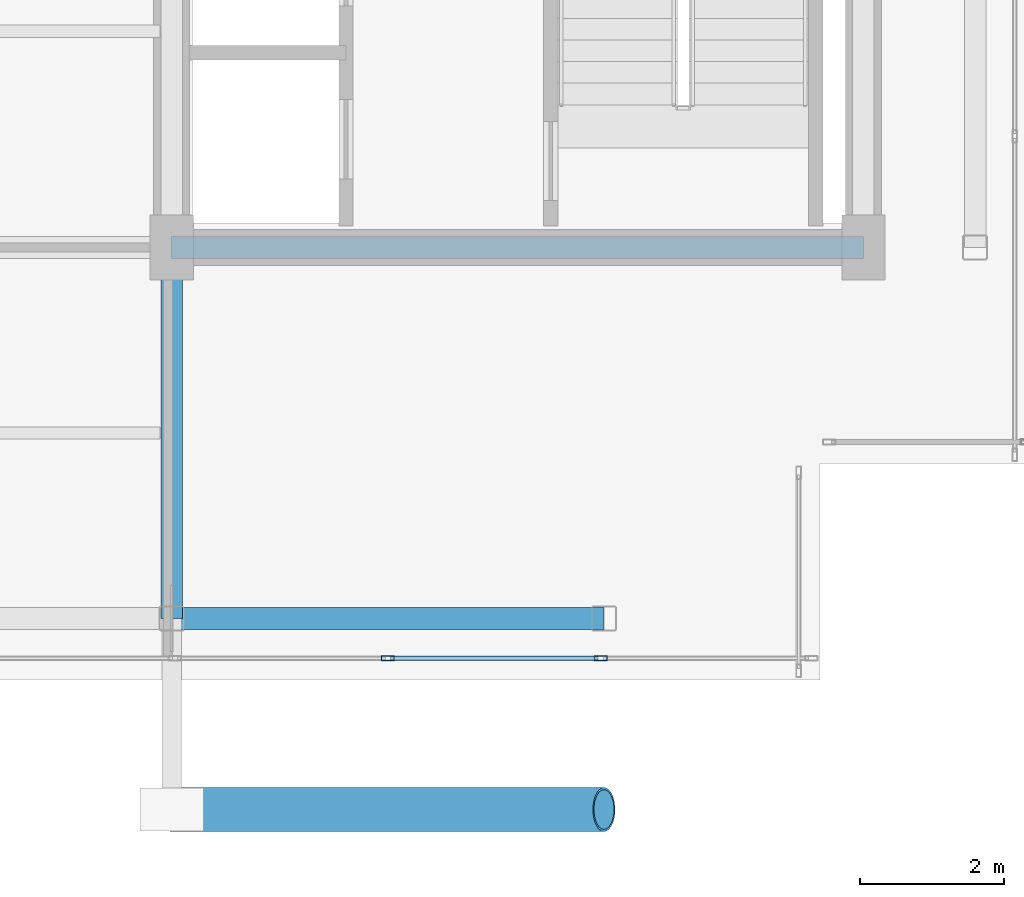
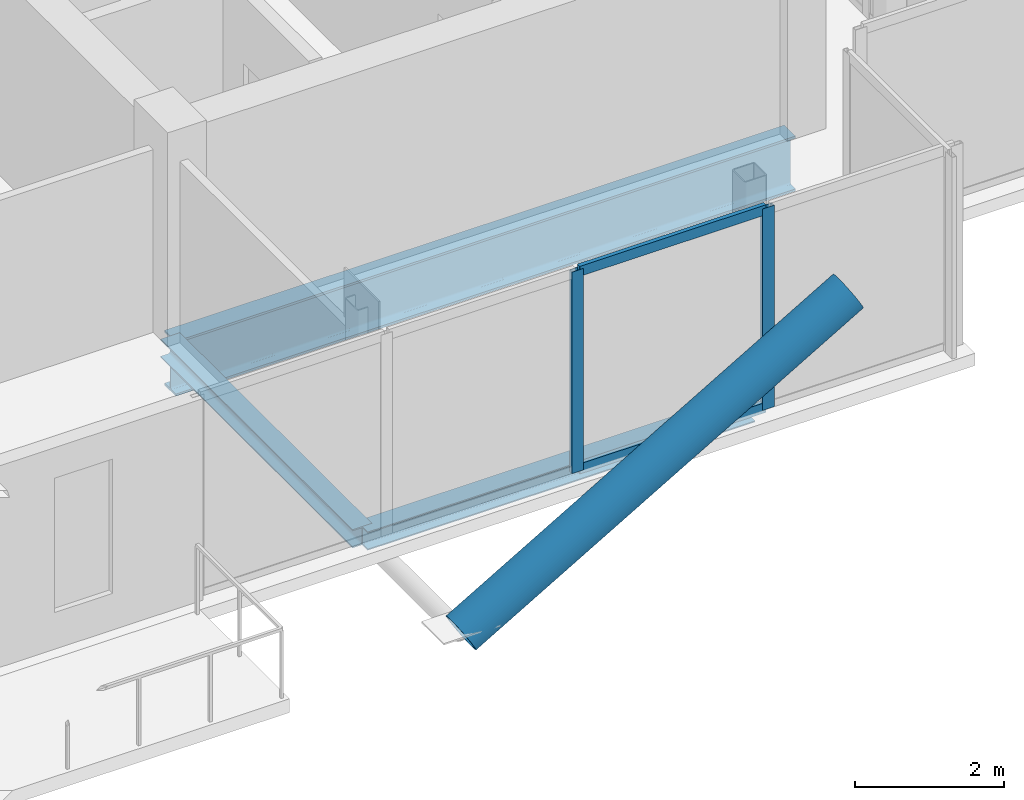
# One storey, part 5 of 18: 5 members, 3 beams, 1 element without a shape of its own.
"""IFC4 building model written with IfcOpenShell, lengths in metres."""

import ifcopenshell
import ifcopenshell.guid

model = None  # the IFC model being written
_history = None  # IfcOwnerHistory: only IFC2X3 demands one
_inside = {}  # id of a spatial element -> (the spatial element, [elements in it])
_under = {}  # id of a project, library or spatial element -> (it, [spatial elements below it])
_declared = {}  # id of a project -> (the project, [libraries it declares])
_typed = {}  # id of a type object -> (the type object, [elements of that type])
_made_of = {}  # id of a material, layer set ... -> (it, [elements and type objects made of it])


def new_model(schema):
    """Start an empty IFC model of exactly this schema.

    Asked for "IFC4X3", IfcOpenShell would pick the latest addendum, in which some entities
    have other attributes; the version numbers below select the first issue.
    IFC2X3 requires an IfcOwnerHistory on every rooted entity: one is made here for all.
    """
    global model, _history
    if schema == "IFC4X3":
        model = ifcopenshell.file(schema_version=(4, 3, 0, 0))
    else:
        model = ifcopenshell.file(schema=schema)
    _inside.clear()
    _under.clear()
    _declared.clear()
    _typed.clear()
    _made_of.clear()
    _history = None
    if model.schema == "IFC2X3":
        org = make("IfcOrganization", Name="unknown")
        user = make(
            "IfcPersonAndOrganization",
            ThePerson=make("IfcPerson", FamilyName="unknown"),
            TheOrganization=org,
        )
        app = make(
            "IfcApplication",
            ApplicationDeveloper=org,
            Version="unknown",
            ApplicationFullName="unknown",
            ApplicationIdentifier="unknown",
        )
        _history = make(
            "IfcOwnerHistory",
            OwningUser=user,
            OwningApplication=app,
            ChangeAction="ADDED",
            CreationDate=0,
        )
    return model


def make(cls, **values):
    """One entity of the class cls with the attributes given. An attribute that is None is left unset."""
    return model.create_entity(
        cls, **{name: value for name, value in values.items() if value is not None}
    )


def rooted(cls, **values):
    """An entity with a GlobalId (a new one), such as an element, a storey or a relation."""
    return make(cls, GlobalId=ifcopenshell.guid.new(), OwnerHistory=_history, **values)


def si_unit(unit_type, name, prefix=None):
    """IfcSIUnit, for example si_unit("LENGTHUNIT", "METRE", prefix="MILLI")."""
    return make("IfcSIUnit", UnitType=unit_type, Prefix=prefix, Name=name)


def assignment(units):
    """IfcUnitAssignment: the units of a project."""
    return None if units is None else make("IfcUnitAssignment", Units=units)


def point(xyz):
    """IfcCartesianPoint."""
    return None if xyz is None else make("IfcCartesianPoint", Coordinates=xyz)


def direction(xyz):
    """IfcDirection."""
    return None if xyz is None else make("IfcDirection", DirectionRatios=xyz)


def frame(location, z_axis=None, x_axis=None):
    """IfcAxis2Placement3D, a coordinate frame: its origin and axes. An axis left out is left unset."""
    return make(
        "IfcAxis2Placement3D",
        Location=point(location),
        Axis=direction(z_axis),
        RefDirection=direction(x_axis),
    )


def frame_2d(location, x_axis=None):
    """IfcAxis2Placement2D, a coordinate frame in the plane: its origin and x axis."""
    return make(
        "IfcAxis2Placement2D", Location=point(location), RefDirection=direction(x_axis)
    )


def origin():
    """The frame at (0, 0, 0) with its axes left unset."""
    return frame((0.0, 0.0, 0.0))


def origin_2d():
    """The frame at (0, 0) in the plane with its x axis left unset."""
    return frame_2d((0.0, 0.0))


def place(relative_to, where):
    """IfcLocalPlacement: puts the frame where relative to a parent placement (None: the world)."""
    return make(
        "IfcLocalPlacement", PlacementRelTo=relative_to, RelativePlacement=where
    )


def context(
    kind, dimensions, precision=None, world=None, true_north=None, identifier=None
):
    """IfcGeometricRepresentationContext, for example the 3D "Model" context."""
    return make(
        "IfcGeometricRepresentationContext",
        ContextIdentifier=identifier,
        ContextType=kind,
        CoordinateSpaceDimension=dimensions,
        Precision=precision,
        WorldCoordinateSystem=world,
        TrueNorth=true_north,
    )


def subcontext(parent, identifier, kind, view, scale=None):
    """IfcGeometricRepresentationSubContext, for example "Body" below "Model"."""
    return make(
        "IfcGeometricRepresentationSubContext",
        ContextIdentifier=identifier,
        ContextType=kind,
        ParentContext=parent,
        TargetScale=scale,
        TargetView=view,
    )


def project(units=None, contexts=None):
    """IfcProject with its units and contexts."""
    return rooted(
        "IfcProject",
        Name="project",
        RepresentationContexts=contexts,
        UnitsInContext=assignment(units),
    )


def spatial(cls, under=None, at=None, **own):
    """A site, building, storey or space (cls), placed at a placement, below another one or the project."""
    s = rooted(cls, ObjectPlacement=at, **own)
    if under is not None:
        _under.setdefault(under.id(), (under, []))[1].append(s)
    return s


def profile(cls, at=None, kind="AREA", **sizes):
    """A parametric profile (cls). Its sizes go by their IFC names, for example OverallWidth=200.0."""
    return make(cls, ProfileType=kind, Position=at, **sizes)


def hollow_rectangle(**sizes):
    """IfcRectangleHollowProfileDef."""
    return profile("IfcRectangleHollowProfileDef", **sizes)


def hollow_circle(**sizes):
    """IfcCircleHollowProfileDef."""
    return profile("IfcCircleHollowProfileDef", **sizes)


def i_section(**sizes):
    """IfcIShapeProfileDef."""
    return profile("IfcIShapeProfileDef", **sizes)


def extrude(swept, where, along, depth):
    """IfcExtrudedAreaSolid: the profile swept, set in the frame where, extruded along a direction by depth."""
    return make(
        "IfcExtrudedAreaSolid",
        SweptArea=swept,
        Position=where,
        ExtrudedDirection=direction(along),
        Depth=depth,
    )


def shape(context_of_items, identifier, shape_type, items):
    """IfcShapeRepresentation: the items that make up one representation, for example the "Body"."""
    return make(
        "IfcShapeRepresentation",
        ContextOfItems=context_of_items,
        RepresentationIdentifier=identifier,
        RepresentationType=shape_type,
        Items=items,
    )


def material(Name=None, Category=None):
    """IfcMaterial."""
    return make("IfcMaterial", Name=Name, Category=Category)


def layer(
    of_material, thickness, ventilated=None, Name=None, Category=None, Priority=None
):
    """IfcMaterialLayer: one layer of a wall or slab, of a material (None: an air gap)."""
    return make(
        "IfcMaterialLayer",
        Material=of_material,
        LayerThickness=thickness,
        IsVentilated=ventilated,
        Name=Name,
        Category=Category,
        Priority=Priority,
    )


def layer_set(layers, Name=None):
    """IfcMaterialLayerSet."""
    return make("IfcMaterialLayerSet", MaterialLayers=layers, LayerSetName=Name)


def material_profile(
    of_material, cross_section, Name=None, Category=None, Priority=None
):
    """IfcMaterialProfile: a cross section and its material."""
    return make(
        "IfcMaterialProfile",
        Name=Name,
        Material=of_material,
        Profile=cross_section,
        Priority=Priority,
        Category=Category,
    )


def profile_set(profiles, Name=None, composite=None):
    """IfcMaterialProfileSet."""
    return make(
        "IfcMaterialProfileSet",
        Name=Name,
        MaterialProfiles=profiles,
        CompositeProfile=composite,
    )


def made_of(thing, what):
    """Note that an element or type object is made of a material, layer set ...; save() writes the relation."""
    if what is not None:
        _made_of.setdefault(what.id(), (what, []))[1].append(thing)
    return thing


def type_object(cls, material=None, **own):
    """A type object (cls), such as IfcWallType, which elements share."""
    return made_of(rooted(cls, **own), material)


def element(
    cls,
    number,
    at=None,
    inside=None,
    cuts=None,
    type_object=None,
    material=None,
    context=None,
    identifier="Body",
    shape_type=None,
    held_by="IfcProductDefinitionShape",
    body=None,
    shapes=None,
    **own,
):
    """One element of the class cls, such as IfcWall. Its Tag is "e" and its number.

    at: its placement. inside: the storey or other place that contains it. cuts: it is an
    opening in that element (IfcRelVoidsElement). A single representation is given by context,
    identifier, shape_type and body (its items); several are given by shapes. held_by: the class
    of the entity that holds the representations. save() writes the other relations.
    """
    e = rooted(cls, Tag="e%d" % number, ObjectPlacement=at, **own)
    if body is not None:
        shapes = [shape(context, identifier, shape_type, body)]
    if shapes is not None:
        e.Representation = make(held_by, Representations=shapes)
    if inside is not None:
        _inside.setdefault(inside.id(), (inside, []))[1].append(e)
    if cuts is not None:
        rooted(
            "IfcRelVoidsElement", RelatingBuildingElement=cuts, RelatedOpeningElement=e
        )
    if type_object is not None:
        _typed.setdefault(type_object.id(), (type_object, []))[1].append(e)
    return made_of(e, material)


def aggregate(whole, parts):
    """IfcRelAggregates: a whole, such as a stair, and the parts it consists of."""
    return rooted("IfcRelAggregates", RelatingObject=whole, RelatedObjects=parts)


def save(model, path):
    """Write the relations noted so far, then the file.

    IfcRelAggregates (storeys below a building ...), IfcRelContainedInSpatialStructure (elements
    in a storey), IfcRelDefinesByType, IfcRelAssociatesMaterial and IfcRelDeclares: one each for
    every whole, place, type object, material and project.
    """
    for whole, parts in _under.values():
        aggregate(whole, parts)
    for where, things in _inside.values():
        rooted(
            "IfcRelContainedInSpatialStructure",
            RelatedElements=things,
            RelatingStructure=where,
        )
    for kind, things in _typed.values():
        rooted("IfcRelDefinesByType", RelatedObjects=things, RelatingType=kind)
    for what, things in _made_of.values():
        rooted("IfcRelAssociatesMaterial", RelatedObjects=things, RelatingMaterial=what)
    for by, libraries in _declared.values():
        rooted("IfcRelDeclares", RelatingContext=by, RelatedDefinitions=libraries)
    model.write(path)


model = new_model("IFC4")

# Units and contexts
model_context = context("Model", 3, precision=1e-05, world=origin(), true_north=direction((0.0, 1.0)))
body_context = subcontext(model_context, "Body", "Model", "MODEL_VIEW")
ifc_project = project(units=[si_unit("LENGTHUNIT", "METRE"), si_unit("AREAUNIT", "SQUARE_METRE"), si_unit("VOLUMEUNIT", "CUBIC_METRE"), si_unit("PLANEANGLEUNIT", "RADIAN"), si_unit("MASSUNIT", "GRAM", prefix="KILO"), si_unit("THERMODYNAMICTEMPERATUREUNIT", "KELVIN"), si_unit("POWERUNIT", "WATT")], contexts=[model_context])

# Site, building, storey
site_placement = place(None, origin())
site = spatial("IfcSite", under=ifc_project, at=site_placement, CompositionType="ELEMENT")
building_placement = place(site_placement, origin())
building = spatial("IfcBuilding", under=site, at=building_placement, Name="Svarakhadi Broadcast Tower", CompositionType="ELEMENT")
storey_placement = place(building_placement, frame((0.0, 0.0, 267.699951171875)))
storey = spatial("IfcBuildingStorey", under=building, at=storey_placement, Name="L67", CompositionType="ELEMENT", Elevation=267.699951171875)

# Curtain wall, members
ifc_material_1 = material(Name="Anodised Bronze Aluminium AA 6063-T6", Category="aluminium")
ifc_layer = layer(ifc_material_1, 0.179931640625)
ifc_layer_set = layer_set([ifc_layer], Name="Anodised Bronze Aluminium AA 6063-T6")
curtain_wall_type = type_object("IfcCurtainWallType", Name="CW_Sys_05", PredefinedType="NOTDEFINED", material=ifc_layer_set)
curtain_wall_placement = place(storey_placement, origin())
curtain_wall = element("IfcCurtainWall", 1, at=curtain_wall_placement, inside=storey, type_object=curtain_wall_type, Name="L67 South Curtain Wall 16", PredefinedType="NOTDEFINED")
ifc_material_profile_1 = material_profile(ifc_material_1, hollow_rectangle(XDim=0.070068359375, YDim=0.179931640625, WallThickness=0.005615234375, at=origin_2d()), Name="ALU MULLION 180x70x6")
ifc_profile_set_1 = profile_set([ifc_material_profile_1], Name="Anodised Bronze Aluminium AA 6063-T6")
member_type_1 = type_object("IfcMemberType", Name="CW_Sys_05_Mul", PredefinedType="MULLION", material=ifc_profile_set_1)
member_1_placement = place(storey_placement, frame((29.955078125, 0.300048828125, 0.0), z_axis=(0.0, 0.0, 1.0), x_axis=(0.0, -1.0, 0.0)))
member_1 = element("IfcMember", 2, at=member_1_placement, type_object=member_type_1, Name="CW-05 mullion 2", PredefinedType="MULLION", context=body_context, shape_type="SweptSolid", body=[
    extrude(hollow_rectangle(XDim=0.070068359375, YDim=0.179931640625, WallThickness=0.005615234375, at=origin_2d()), origin(), (0.0, 0.0, 1.0), 3.300048828125),
])
member_2_placement = place(storey_placement, frame((27.0, 0.300048828125, 0.0), z_axis=(0.0, 0.0, 1.0), x_axis=(0.0, -1.0, 0.0)))
member_2 = element("IfcMember", 3, at=member_2_placement, type_object=member_type_1, Name="CW-05 mullion 3", PredefinedType="MULLION", context=body_context, shape_type="SweptSolid", body=[
    extrude(hollow_rectangle(XDim=0.070068359375, YDim=0.179931640625, WallThickness=0.005615234375, at=origin_2d()), origin(), (0.0, 0.0, 1.0), 3.300048828125),
])
ifc_material_profile_2 = material_profile(ifc_material_1, hollow_rectangle(XDim=0.06494140625, YDim=0.1650390625, WallThickness=0.0048828125, at=origin_2d()), Name="ALU TRANSOM 165x65x5")
ifc_profile_set_2 = profile_set([ifc_material_profile_2], Name="Anodised Bronze Aluminium AA 6063-T6")
member_type_2 = type_object("IfcMemberType", Name="CW_Sys_05_Trn", PredefinedType="USERDEFINED", material=ifc_profile_set_2)
member_3_placement = place(storey_placement, frame((29.919921875, 0.300048828125, 0.032470703125), z_axis=(-1.0, 0.0, 0.0), x_axis=(0.0, -1.0, 0.0)))
member_3 = element("IfcMember", 4, at=member_3_placement, type_object=member_type_2, Name="CW-05 transom 2.1", ObjectType="TRANSOM", PredefinedType="USERDEFINED", context=body_context, shape_type="SweptSolid", body=[
    extrude(hollow_rectangle(XDim=0.06494140625, YDim=0.1650390625, WallThickness=0.0048828125, at=origin_2d()), origin(), (0.0, 0.0, 1.0), 2.885009765625),
])
member_4_placement = place(storey_placement, frame((29.919921875, 0.300048828125, 3.267578125), z_axis=(-1.0, 0.0, 0.0), x_axis=(0.0, -1.0, 0.0)))
member_4 = element("IfcMember", 5, at=member_4_placement, type_object=member_type_2, Name="CW-05 transom 2.2", ObjectType="TRANSOM", PredefinedType="USERDEFINED", context=body_context, shape_type="SweptSolid", body=[
    extrude(hollow_rectangle(XDim=0.06494140625, YDim=0.1650390625, WallThickness=0.0048828125, at=origin_2d()), origin(), (0.0, 0.0, 1.0), 2.885009765625),
])
aggregate(curtain_wall, [member_1, member_2, member_3, member_4])

# Member
ifc_material_2 = material(Name="Steel S460ML (IS 2062 E450BR)", Category="steel")
ifc_material_profile_3 = material_profile(ifc_material_2, hollow_circle(Radius=0.304931640625, WallThickness=0.030029296875, at=origin_2d()), Name="CHS 610x30")
ifc_profile_set_3 = profile_set([ifc_material_profile_3], Name="Steel S460ML (IS 2062 E450BR)")
member_type_3 = type_object("IfcMemberType", Name="Exo_Brace_CHS610", PredefinedType="BRACE", material=ifc_profile_set_3)
member_5_placement = place(storey_placement, frame((24.0, -1.800048828125, -0.33642578125), z_axis=(0.863778900898, 0.0, 0.503871025524), x_axis=(0.0, 1.0, 0.0)))
element("IfcMember", 6, at=member_5_placement, inside=storey, type_object=member_type_3, Name="L67 Exposed Bronze Exoskeleton Diagonal S01", PredefinedType="BRACE", context=body_context, shape_type="SweptSolid", body=[
    extrude(hollow_circle(Radius=0.304931640625, WallThickness=0.030029296875, at=origin_2d()), origin(), (0.0, 0.0, 1.0), 6.9462890625),
])

# Beams
ifc_material_3 = material(Name="Steel S355J2 (IS 2062 E350C)", Category="steel")
ifc_material_profile_4 = material_profile(ifc_material_3, i_section(OverallWidth=0.300048828125, OverallDepth=0.300048828125, WebThickness=0.010986328125, FlangeThickness=0.01904296875, FilletRadius=0.027099609375, at=origin_2d()), Name="WPB 300x300x117")
ifc_profile_set_4 = profile_set([ifc_material_profile_4], Name="Steel S355J2 (IS 2062 E350C)")
beam_type_1 = type_object("IfcBeamType", Name="Girder_WPB300", PredefinedType="USERDEFINED", material=ifc_profile_set_4)
beam_1_placement = place(storey_placement, frame((24.0, 0.85009765625, -0.349853515625), z_axis=(1.0, 0.0, 0.0), x_axis=(0.0, 1.0, 0.0)))
element("IfcBeam", 7, at=beam_1_placement, inside=storey, type_object=beam_type_1, Name="L67 Primary E-W Girder G007", ObjectType="GIRDER", PredefinedType="USERDEFINED", context=body_context, shape_type="SweptSolid", body=[
    extrude(i_section(OverallWidth=0.300048828125, OverallDepth=0.300048828125, WebThickness=0.010986328125, FlangeThickness=0.01904296875, FilletRadius=0.027099609375, at=origin_2d()), origin(), (0.0, 0.0, 1.0), 6.0),
])
beam_2_placement = place(storey_placement, frame((24.0, 0.85009765625, -0.349853515625), z_axis=(0.0, 1.0, 0.0), x_axis=(-1.0, 0.0, 0.0)))
element("IfcBeam", 8, at=beam_2_placement, inside=storey, type_object=beam_type_1, Name="L67 Primary N-S Girder G040", ObjectType="GIRDER", PredefinedType="USERDEFINED", context=body_context, shape_type="SweptSolid", body=[
    extrude(i_section(OverallWidth=0.300048828125, OverallDepth=0.300048828125, WebThickness=0.010986328125, FlangeThickness=0.01904296875, FilletRadius=0.027099609375, at=origin_2d()), origin(), (0.0, 0.0, 1.0), 5.14990234375),
])
ifc_material_profile_5 = material_profile(ifc_material_2, i_section(OverallWidth=0.300048828125, OverallDepth=0.89990234375, WebThickness=0.0185546875, FlangeThickness=0.034912109375, FilletRadius=0.030029296875, at=origin_2d()), Name="WPB 900x300x291")
ifc_profile_set_5 = profile_set([ifc_material_profile_5], Name="Steel S460ML (IS 2062 E450BR)")
beam_type_2 = type_object("IfcBeamType", Name="Girder_WPB900", PredefinedType="USERDEFINED", material=ifc_profile_set_5)
beam_3_placement = place(storey_placement, frame((24.0, 6.0, -0.64990234375), z_axis=(1.0, 0.0, 0.0), x_axis=(0.0, 1.0, 0.0)))
element("IfcBeam", 9, at=beam_3_placement, inside=storey, type_object=beam_type_2, Name="L67 Primary E-W Girder G012", ObjectType="GIRDER", PredefinedType="USERDEFINED", context=body_context, shape_type="SweptSolid", body=[
    extrude(i_section(OverallWidth=0.300048828125, OverallDepth=0.89990234375, WebThickness=0.0185546875, FlangeThickness=0.034912109375, FilletRadius=0.030029296875, at=origin_2d()), origin(), (0.0, 0.0, 1.0), 9.60009765625),
])

save(model, "model.ifc")
